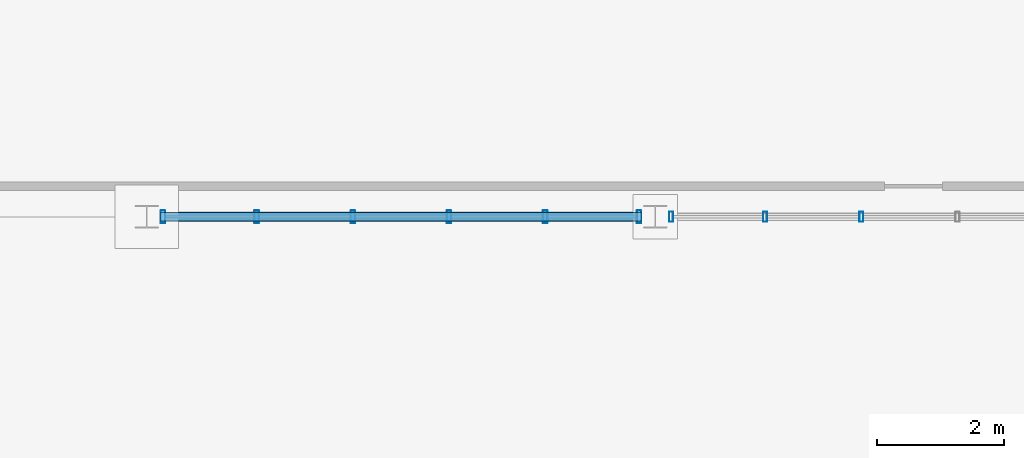
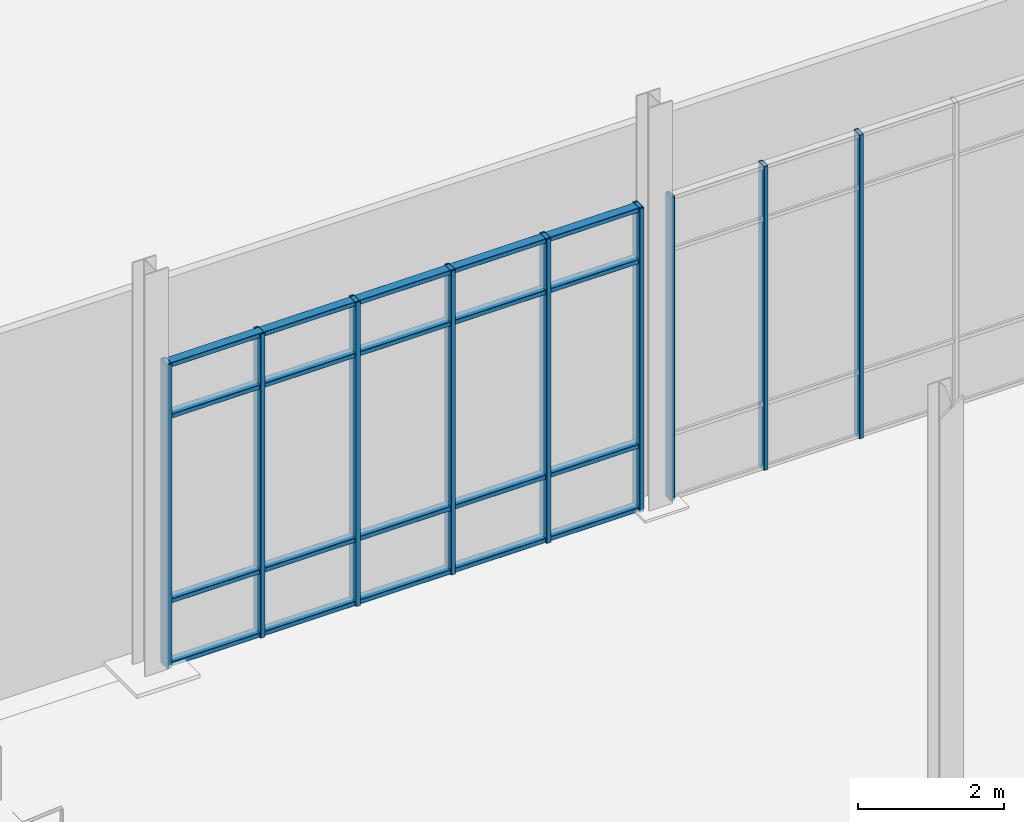
# One storey, part 68 of 140: 13 members, 2 elements without a shape of their own.
"""IFC4 building model written with IfcOpenShell, lengths in metres."""

from ifc_helpers import new_model, si_unit, direction, frame, origin, origin_2d, place, context, subcontext, project, spatial, hollow_rectangle, extrude, material, material_profile, profile_set, type_object, element, aggregate, save


model = new_model("IFC4")

# Units and contexts
model_context = context("Model", 3, precision=1e-05, world=origin(), true_north=direction((0.0, 1.0)))
body_context = subcontext(model_context, "Body", "Model", "MODEL_VIEW")
ifc_project = project(units=[si_unit("LENGTHUNIT", "METRE"), si_unit("AREAUNIT", "SQUARE_METRE"), si_unit("VOLUMEUNIT", "CUBIC_METRE"), si_unit("PLANEANGLEUNIT", "RADIAN"), si_unit("MASSUNIT", "GRAM", prefix="KILO")], contexts=[model_context])

# Site, building, storey
site_placement = place(None, origin())
site = spatial("IfcSite", under=ifc_project, at=site_placement, CompositionType="ELEMENT")
building_placement = place(site_placement, origin())
building = spatial("IfcBuilding", under=site, at=building_placement, Name="Verrall Gate Interchange", CompositionType="ELEMENT")
storey_placement = place(building_placement, origin())
storey = spatial("IfcBuildingStorey", under=building, at=storey_placement, Name="L01", CompositionType="ELEMENT", Elevation=0.0)

# Curtain wall, members
ifc_material_1 = material(Name="Thermally Broken Anodized Aluminium Curtain Wall Framing", Category="aluminium")
curtain_wall_type = type_object("IfcCurtainWallType", Name="CW-06 Unitized Curtain Wall 7631x5100", PredefinedType="NOTDEFINED", material=ifc_material_1)
curtain_wall_1_placement = place(storey_placement, origin())
curtain_wall_1 = element("IfcCurtainWall", 1, at=curtain_wall_1_placement, inside=storey, type_object=curtain_wall_type, Name="L01 Unitized Curtain Wall CW-L01-026", PredefinedType="NOTDEFINED")
ifc_material_2 = material(Name="Thermally Broken Anodized Aluminium Curtain Wall Framing", Category="aluminium")
ifc_material_profile_1 = material_profile(ifc_material_2, hollow_rectangle(XDim=0.06494140625, YDim=0.159912109375, WallThickness=0.00390625, InnerFilletRadius=0.00390625, OuterFilletRadius=0.008056640625, at=origin_2d()), Name="CWM160x65x4")
ifc_profile_set_1 = profile_set([ifc_material_profile_1], Name="Thermally Broken Anodized Aluminium Curtain Wall Framing")
member_type_1 = type_object("IfcMemberType", Name="CM-01 Curtain Mullion CWM160x65x4", PredefinedType="MULLION", material=ifc_profile_set_1)
member_1_placement = place(storey_placement, frame((124.2490234375, 74.0, 0.0), z_axis=(0.0, 0.0, 1.0), x_axis=(1.0, 0.0, 0.0)))
member_1 = element("IfcMember", 2, at=member_1_placement, type_object=member_type_1, Name="CW-L01-026 Mullion 1", PredefinedType="MULLION", context=body_context, shape_type="SweptSolid", body=[
    extrude(hollow_rectangle(XDim=0.06494140625, YDim=0.159912109375, WallThickness=0.00390625, InnerFilletRadius=0.00390625, OuterFilletRadius=0.008056640625, at=origin_2d()), origin(), (0.0, 0.0, 1.0), 5.10009765625),
])
member_2_placement = place(storey_placement, frame((125.72998046875, 74.0, 0.0), z_axis=(0.0, 0.0, 1.0), x_axis=(1.0, 0.0, 0.0)))
member_2 = element("IfcMember", 3, at=member_2_placement, type_object=member_type_1, Name="CW-L01-026 Mullion 2", PredefinedType="MULLION", context=body_context, shape_type="SweptSolid", body=[
    extrude(hollow_rectangle(XDim=0.06494140625, YDim=0.159912109375, WallThickness=0.00390625, InnerFilletRadius=0.00390625, OuterFilletRadius=0.008056640625, at=origin_2d()), origin(), (0.0, 0.0, 1.0), 5.10009765625),
])
member_3_placement = place(storey_placement, frame((127.243408203125, 74.0, 0.0), z_axis=(0.0, 0.0, 1.0), x_axis=(1.0, 0.0, 0.0)))
member_3 = element("IfcMember", 4, at=member_3_placement, type_object=member_type_1, Name="CW-L01-026 Mullion 3", PredefinedType="MULLION", context=body_context, shape_type="SweptSolid", body=[
    extrude(hollow_rectangle(XDim=0.06494140625, YDim=0.159912109375, WallThickness=0.00390625, InnerFilletRadius=0.00390625, OuterFilletRadius=0.008056640625, at=origin_2d()), origin(), (0.0, 0.0, 1.0), 5.10009765625),
])
aggregate(curtain_wall_1, [member_1, member_2, member_3])

curtain_wall_2_placement = place(storey_placement, origin())
curtain_wall_2 = element("IfcCurtainWall", 5, at=curtain_wall_2_placement, inside=storey, type_object=curtain_wall_type, Name="L01 Unitized Curtain Wall CW-L01-025", PredefinedType="NOTDEFINED")
ifc_material_3 = material(Name="Thermally Broken Anodized Aluminium Curtain Wall Framing", Category="aluminium")
ifc_material_profile_2 = material_profile(ifc_material_3, hollow_rectangle(XDim=0.074951171875, YDim=0.199951171875, WallThickness=0.0048828125, InnerFilletRadius=0.0048828125, OuterFilletRadius=0.010009765625, at=origin_2d()), Name="CWM200x75x5")
ifc_profile_set_2 = profile_set([ifc_material_profile_2], Name="Thermally Broken Anodized Aluminium Curtain Wall Framing")
member_type_2 = type_object("IfcMemberType", Name="CM-02 Curtain Mullion CWM200x75x5", PredefinedType="MULLION", material=ifc_profile_set_2)
member_4_placement = place(storey_placement, frame((116.25390625, 74.0, 0.0), z_axis=(0.0, 0.0, 1.0), x_axis=(1.0, 0.0, 0.0)))
member_4 = element("IfcMember", 6, at=member_4_placement, type_object=member_type_2, Name="CW-L01-025 Mullion 1", PredefinedType="MULLION", context=body_context, shape_type="SweptSolid", body=[
    extrude(hollow_rectangle(XDim=0.074951171875, YDim=0.199951171875, WallThickness=0.0048828125, InnerFilletRadius=0.0048828125, OuterFilletRadius=0.010009765625, at=origin_2d()), origin(), (0.0, 0.0, 1.0), 5.10009765625),
])
member_5_placement = place(storey_placement, frame((117.72998046875, 74.0, 0.0), z_axis=(0.0, 0.0, 1.0), x_axis=(1.0, 0.0, 0.0)))
member_5 = element("IfcMember", 7, at=member_5_placement, type_object=member_type_2, Name="CW-L01-025 Mullion 2", PredefinedType="MULLION", context=body_context, shape_type="SweptSolid", body=[
    extrude(hollow_rectangle(XDim=0.074951171875, YDim=0.199951171875, WallThickness=0.0048828125, InnerFilletRadius=0.0048828125, OuterFilletRadius=0.010009765625, at=origin_2d()), origin(), (0.0, 0.0, 1.0), 5.10009765625),
])
member_6_placement = place(storey_placement, frame((119.243408203125, 74.0, 0.0), z_axis=(0.0, 0.0, 1.0), x_axis=(1.0, 0.0, 0.0)))
member_6 = element("IfcMember", 8, at=member_6_placement, type_object=member_type_2, Name="CW-L01-025 Mullion 3", PredefinedType="MULLION", context=body_context, shape_type="SweptSolid", body=[
    extrude(hollow_rectangle(XDim=0.074951171875, YDim=0.199951171875, WallThickness=0.0048828125, InnerFilletRadius=0.0048828125, OuterFilletRadius=0.010009765625, at=origin_2d()), origin(), (0.0, 0.0, 1.0), 5.10009765625),
])
member_7_placement = place(storey_placement, frame((120.756591796875, 74.0, 0.0), z_axis=(0.0, 0.0, 1.0), x_axis=(1.0, 0.0, 0.0)))
member_7 = element("IfcMember", 9, at=member_7_placement, type_object=member_type_2, Name="CW-L01-025 Mullion 4", PredefinedType="MULLION", context=body_context, shape_type="SweptSolid", body=[
    extrude(hollow_rectangle(XDim=0.074951171875, YDim=0.199951171875, WallThickness=0.0048828125, InnerFilletRadius=0.0048828125, OuterFilletRadius=0.010009765625, at=origin_2d()), origin(), (0.0, 0.0, 1.0), 5.10009765625),
])
member_8_placement = place(storey_placement, frame((122.27001953125, 74.0, 0.0), z_axis=(0.0, 0.0, 1.0), x_axis=(1.0, 0.0, 0.0)))
member_8 = element("IfcMember", 10, at=member_8_placement, type_object=member_type_2, Name="CW-L01-025 Mullion 5", PredefinedType="MULLION", context=body_context, shape_type="SweptSolid", body=[
    extrude(hollow_rectangle(XDim=0.074951171875, YDim=0.199951171875, WallThickness=0.0048828125, InnerFilletRadius=0.0048828125, OuterFilletRadius=0.010009765625, at=origin_2d()), origin(), (0.0, 0.0, 1.0), 5.10009765625),
])
member_9_placement = place(storey_placement, frame((123.74609375, 74.0, 0.0), z_axis=(0.0, 0.0, 1.0), x_axis=(1.0, 0.0, 0.0)))
member_9 = element("IfcMember", 11, at=member_9_placement, type_object=member_type_2, Name="CW-L01-025 Mullion 6", PredefinedType="MULLION", context=body_context, shape_type="SweptSolid", body=[
    extrude(hollow_rectangle(XDim=0.074951171875, YDim=0.199951171875, WallThickness=0.0048828125, InnerFilletRadius=0.0048828125, OuterFilletRadius=0.010009765625, at=origin_2d()), origin(), (0.0, 0.0, 1.0), 5.10009765625),
])
ifc_material_4 = material(Name="Thermally Broken Anodized Aluminium Curtain Wall Framing", Category="aluminium")
ifc_material_profile_3 = material_profile(ifc_material_4, hollow_rectangle(XDim=0.14990234375, YDim=0.074951171875, WallThickness=0.00439453125, InnerFilletRadius=0.00439453125, OuterFilletRadius=0.009033203125, at=origin_2d()), Name="CWT150x75x4.5")
ifc_profile_set_3 = profile_set([ifc_material_profile_3], Name="Thermally Broken Anodized Aluminium Curtain Wall Framing")
member_type_3 = type_object("IfcMemberType", Name="CT-02 Curtain Transom CWT150x75x4.5", PredefinedType="USERDEFINED", material=ifc_profile_set_3)
member_10_placement = place(storey_placement, frame((116.216552734375, 74.0, 0.03759765625), z_axis=(1.0, 0.0, 0.0), x_axis=(0.0, 1.0, 0.0)))
member_10 = element("IfcMember", 12, at=member_10_placement, type_object=member_type_3, Name="CW-L01-025 Transom 1", ObjectType="TRANSOM", PredefinedType="USERDEFINED", context=body_context, shape_type="SweptSolid", body=[
    extrude(hollow_rectangle(XDim=0.14990234375, YDim=0.074951171875, WallThickness=0.00439453125, InnerFilletRadius=0.00439453125, OuterFilletRadius=0.009033203125, at=origin_2d()), origin(), (0.0, 0.0, 1.0), 7.56689453125),
])
member_11_placement = place(storey_placement, frame((116.216552734375, 74.0, 1.10009765625), z_axis=(1.0, 0.0, 0.0), x_axis=(0.0, 1.0, 0.0)))
member_11 = element("IfcMember", 13, at=member_11_placement, type_object=member_type_3, Name="CW-L01-025 Transom 2", ObjectType="TRANSOM", PredefinedType="USERDEFINED", context=body_context, shape_type="SweptSolid", body=[
    extrude(hollow_rectangle(XDim=0.14990234375, YDim=0.074951171875, WallThickness=0.00439453125, InnerFilletRadius=0.00439453125, OuterFilletRadius=0.009033203125, at=origin_2d()), origin(), (0.0, 0.0, 1.0), 7.56689453125),
])
member_12_placement = place(storey_placement, frame((116.216552734375, 74.0, 4.199951171875), z_axis=(1.0, 0.0, 0.0), x_axis=(0.0, 1.0, 0.0)))
member_12 = element("IfcMember", 14, at=member_12_placement, type_object=member_type_3, Name="CW-L01-025 Transom 3", ObjectType="TRANSOM", PredefinedType="USERDEFINED", context=body_context, shape_type="SweptSolid", body=[
    extrude(hollow_rectangle(XDim=0.14990234375, YDim=0.074951171875, WallThickness=0.00439453125, InnerFilletRadius=0.00439453125, OuterFilletRadius=0.009033203125, at=origin_2d()), origin(), (0.0, 0.0, 1.0), 7.56689453125),
])
member_13_placement = place(storey_placement, frame((116.216552734375, 74.0, 5.0625), z_axis=(1.0, 0.0, 0.0), x_axis=(0.0, 1.0, 0.0)))
member_13 = element("IfcMember", 15, at=member_13_placement, type_object=member_type_3, Name="CW-L01-025 Transom 4", ObjectType="TRANSOM", PredefinedType="USERDEFINED", context=body_context, shape_type="SweptSolid", body=[
    extrude(hollow_rectangle(XDim=0.14990234375, YDim=0.074951171875, WallThickness=0.00439453125, InnerFilletRadius=0.00439453125, OuterFilletRadius=0.009033203125, at=origin_2d()), origin(), (0.0, 0.0, 1.0), 7.56689453125),
])
aggregate(curtain_wall_2, [member_4, member_5, member_6, member_7, member_8, member_9, member_10, member_11, member_12, member_13])

save(model, "model.ifc")
